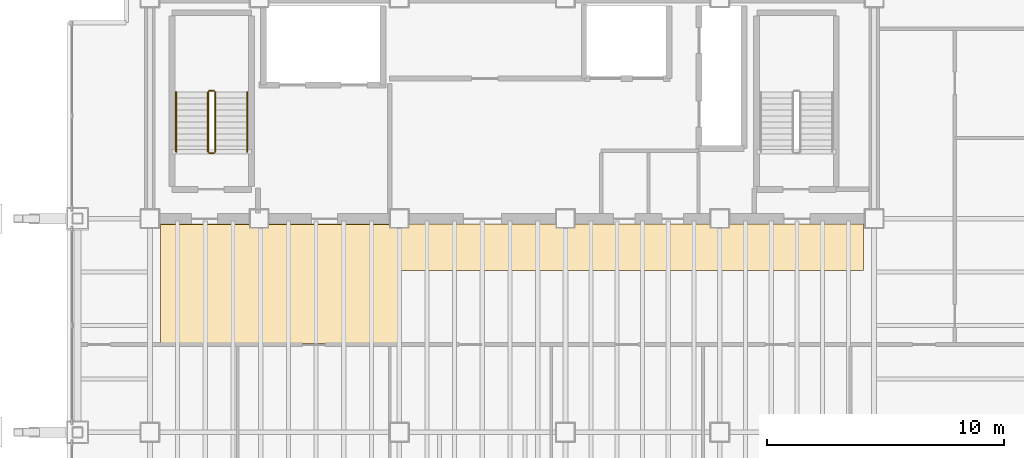
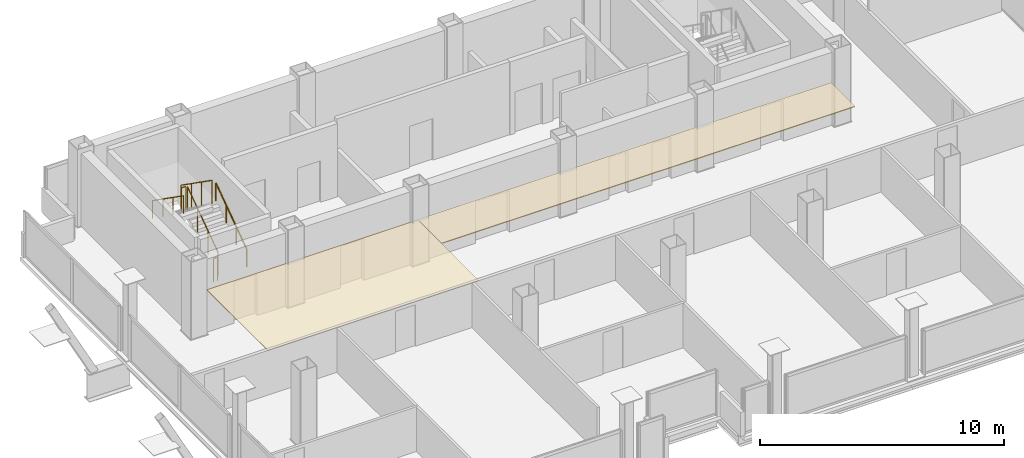
# One storey, part 16 of 17: 6 railings, 2 coverings.
"""IFC4 building model written with IfcOpenShell, lengths in metres."""

import ifcopenshell
import ifcopenshell.guid

model = None  # the IFC model being written
_history = None  # IfcOwnerHistory: only IFC2X3 demands one
_inside = {}  # id of a spatial element -> (the spatial element, [elements in it])
_under = {}  # id of a project, library or spatial element -> (it, [spatial elements below it])
_declared = {}  # id of a project -> (the project, [libraries it declares])
_typed = {}  # id of a type object -> (the type object, [elements of that type])
_made_of = {}  # id of a material, layer set ... -> (it, [elements and type objects made of it])


def new_model(schema):
    """Start an empty IFC model of exactly this schema.

    Asked for "IFC4X3", IfcOpenShell would pick the latest addendum, in which some entities
    have other attributes; the version numbers below select the first issue.
    IFC2X3 requires an IfcOwnerHistory on every rooted entity: one is made here for all.
    """
    global model, _history
    if schema == "IFC4X3":
        model = ifcopenshell.file(schema_version=(4, 3, 0, 0))
    else:
        model = ifcopenshell.file(schema=schema)
    _inside.clear()
    _under.clear()
    _declared.clear()
    _typed.clear()
    _made_of.clear()
    _history = None
    if model.schema == "IFC2X3":
        org = make("IfcOrganization", Name="unknown")
        user = make(
            "IfcPersonAndOrganization",
            ThePerson=make("IfcPerson", FamilyName="unknown"),
            TheOrganization=org,
        )
        app = make(
            "IfcApplication",
            ApplicationDeveloper=org,
            Version="unknown",
            ApplicationFullName="unknown",
            ApplicationIdentifier="unknown",
        )
        _history = make(
            "IfcOwnerHistory",
            OwningUser=user,
            OwningApplication=app,
            ChangeAction="ADDED",
            CreationDate=0,
        )
    return model


def make(cls, **values):
    """One entity of the class cls with the attributes given. An attribute that is None is left unset."""
    return model.create_entity(
        cls, **{name: value for name, value in values.items() if value is not None}
    )


def rooted(cls, **values):
    """An entity with a GlobalId (a new one), such as an element, a storey or a relation."""
    return make(cls, GlobalId=ifcopenshell.guid.new(), OwnerHistory=_history, **values)


def si_unit(unit_type, name, prefix=None):
    """IfcSIUnit, for example si_unit("LENGTHUNIT", "METRE", prefix="MILLI")."""
    return make("IfcSIUnit", UnitType=unit_type, Prefix=prefix, Name=name)


def assignment(units):
    """IfcUnitAssignment: the units of a project."""
    return None if units is None else make("IfcUnitAssignment", Units=units)


def point(xyz):
    """IfcCartesianPoint."""
    return None if xyz is None else make("IfcCartesianPoint", Coordinates=xyz)


def direction(xyz):
    """IfcDirection."""
    return None if xyz is None else make("IfcDirection", DirectionRatios=xyz)


def frame(location, z_axis=None, x_axis=None):
    """IfcAxis2Placement3D, a coordinate frame: its origin and axes. An axis left out is left unset."""
    return make(
        "IfcAxis2Placement3D",
        Location=point(location),
        Axis=direction(z_axis),
        RefDirection=direction(x_axis),
    )


def frame_2d(location, x_axis=None):
    """IfcAxis2Placement2D, a coordinate frame in the plane: its origin and x axis."""
    return make(
        "IfcAxis2Placement2D", Location=point(location), RefDirection=direction(x_axis)
    )


def origin():
    """The frame at (0, 0, 0) with its axes left unset."""
    return frame((0.0, 0.0, 0.0))


def origin_2d():
    """The frame at (0, 0) in the plane with its x axis left unset."""
    return frame_2d((0.0, 0.0))


def place(relative_to, where):
    """IfcLocalPlacement: puts the frame where relative to a parent placement (None: the world)."""
    return make(
        "IfcLocalPlacement", PlacementRelTo=relative_to, RelativePlacement=where
    )


def context(
    kind, dimensions, precision=None, world=None, true_north=None, identifier=None
):
    """IfcGeometricRepresentationContext, for example the 3D "Model" context."""
    return make(
        "IfcGeometricRepresentationContext",
        ContextIdentifier=identifier,
        ContextType=kind,
        CoordinateSpaceDimension=dimensions,
        Precision=precision,
        WorldCoordinateSystem=world,
        TrueNorth=true_north,
    )


def subcontext(parent, identifier, kind, view, scale=None):
    """IfcGeometricRepresentationSubContext, for example "Body" below "Model"."""
    return make(
        "IfcGeometricRepresentationSubContext",
        ContextIdentifier=identifier,
        ContextType=kind,
        ParentContext=parent,
        TargetScale=scale,
        TargetView=view,
    )


def project(units=None, contexts=None):
    """IfcProject with its units and contexts."""
    return rooted(
        "IfcProject",
        Name="project",
        RepresentationContexts=contexts,
        UnitsInContext=assignment(units),
    )


def spatial(cls, under=None, at=None, **own):
    """A site, building, storey or space (cls), placed at a placement, below another one or the project."""
    s = rooted(cls, ObjectPlacement=at, **own)
    if under is not None:
        _under.setdefault(under.id(), (under, []))[1].append(s)
    return s


def polyline(points):
    """IfcPolyline through the points."""
    return make("IfcPolyline", Points=[point(p) for p in points])


def profile(cls, at=None, kind="AREA", **sizes):
    """A parametric profile (cls). Its sizes go by their IFC names, for example OverallWidth=200.0."""
    return make(cls, ProfileType=kind, Position=at, **sizes)


def circle(**sizes):
    """IfcCircleProfileDef."""
    return profile("IfcCircleProfileDef", **sizes)


def outline(outer, holes=None, kind="AREA"):
    """IfcArbitraryClosedProfileDef: a profile drawn as a closed curve; with holes, ...WithVoids."""
    if holes is None:
        return make("IfcArbitraryClosedProfileDef", ProfileType=kind, OuterCurve=outer)
    return make(
        "IfcArbitraryProfileDefWithVoids",
        ProfileType=kind,
        OuterCurve=outer,
        InnerCurves=holes,
    )


def extrude(swept, where, along, depth):
    """IfcExtrudedAreaSolid: the profile swept, set in the frame where, extruded along a direction by depth."""
    return make(
        "IfcExtrudedAreaSolid",
        SweptArea=swept,
        Position=where,
        ExtrudedDirection=direction(along),
        Depth=depth,
    )


def shape(context_of_items, identifier, shape_type, items):
    """IfcShapeRepresentation: the items that make up one representation, for example the "Body"."""
    return make(
        "IfcShapeRepresentation",
        ContextOfItems=context_of_items,
        RepresentationIdentifier=identifier,
        RepresentationType=shape_type,
        Items=items,
    )


def material(Name=None, Category=None):
    """IfcMaterial."""
    return make("IfcMaterial", Name=Name, Category=Category)


def layer(
    of_material, thickness, ventilated=None, Name=None, Category=None, Priority=None
):
    """IfcMaterialLayer: one layer of a wall or slab, of a material (None: an air gap)."""
    return make(
        "IfcMaterialLayer",
        Material=of_material,
        LayerThickness=thickness,
        IsVentilated=ventilated,
        Name=Name,
        Category=Category,
        Priority=Priority,
    )


def layer_set(layers, Name=None):
    """IfcMaterialLayerSet."""
    return make("IfcMaterialLayerSet", MaterialLayers=layers, LayerSetName=Name)


def made_of(thing, what):
    """Note that an element or type object is made of a material, layer set ...; save() writes the relation."""
    if what is not None:
        _made_of.setdefault(what.id(), (what, []))[1].append(thing)
    return thing


def type_object(cls, material=None, **own):
    """A type object (cls), such as IfcWallType, which elements share."""
    return made_of(rooted(cls, **own), material)


def element(
    cls,
    number,
    at=None,
    inside=None,
    cuts=None,
    type_object=None,
    material=None,
    context=None,
    identifier="Body",
    shape_type=None,
    held_by="IfcProductDefinitionShape",
    body=None,
    shapes=None,
    **own,
):
    """One element of the class cls, such as IfcWall. Its Tag is "e" and its number.

    at: its placement. inside: the storey or other place that contains it. cuts: it is an
    opening in that element (IfcRelVoidsElement). A single representation is given by context,
    identifier, shape_type and body (its items); several are given by shapes. held_by: the class
    of the entity that holds the representations. save() writes the other relations.
    """
    e = rooted(cls, Tag="e%d" % number, ObjectPlacement=at, **own)
    if body is not None:
        shapes = [shape(context, identifier, shape_type, body)]
    if shapes is not None:
        e.Representation = make(held_by, Representations=shapes)
    if inside is not None:
        _inside.setdefault(inside.id(), (inside, []))[1].append(e)
    if cuts is not None:
        rooted(
            "IfcRelVoidsElement", RelatingBuildingElement=cuts, RelatedOpeningElement=e
        )
    if type_object is not None:
        _typed.setdefault(type_object.id(), (type_object, []))[1].append(e)
    return made_of(e, material)


def aggregate(whole, parts):
    """IfcRelAggregates: a whole, such as a stair, and the parts it consists of."""
    return rooted("IfcRelAggregates", RelatingObject=whole, RelatedObjects=parts)


def save(model, path):
    """Write the relations noted so far, then the file.

    IfcRelAggregates (storeys below a building ...), IfcRelContainedInSpatialStructure (elements
    in a storey), IfcRelDefinesByType, IfcRelAssociatesMaterial and IfcRelDeclares: one each for
    every whole, place, type object, material and project.
    """
    for whole, parts in _under.values():
        aggregate(whole, parts)
    for where, things in _inside.values():
        rooted(
            "IfcRelContainedInSpatialStructure",
            RelatedElements=things,
            RelatingStructure=where,
        )
    for kind, things in _typed.values():
        rooted("IfcRelDefinesByType", RelatedObjects=things, RelatingType=kind)
    for what, things in _made_of.values():
        rooted("IfcRelAssociatesMaterial", RelatedObjects=things, RelatingMaterial=what)
    for by, libraries in _declared.values():
        rooted("IfcRelDeclares", RelatingContext=by, RelatedDefinitions=libraries)
    model.write(path)


model = new_model("IFC4")

# Units and contexts
model_context = context("Model", 3, precision=1e-05, world=origin(), true_north=direction((0.0, 1.0)))
body_context = subcontext(model_context, "Body", "Model", "MODEL_VIEW")
ifc_project = project(units=[si_unit("LENGTHUNIT", "METRE"), si_unit("AREAUNIT", "SQUARE_METRE"), si_unit("VOLUMEUNIT", "CUBIC_METRE"), si_unit("PLANEANGLEUNIT", "RADIAN"), si_unit("MASSUNIT", "GRAM", prefix="KILO")], contexts=[model_context])

# Site, building, storey
site_placement = place(None, origin())
site = spatial("IfcSite", under=ifc_project, at=site_placement, CompositionType="ELEMENT")
building_placement = place(site_placement, origin())
building = spatial("IfcBuilding", under=site, at=building_placement, Name="Noeulbin Bourse Tower", CompositionType="ELEMENT")
storey_placement = place(building_placement, frame((0.0, 0.0, 226.699951171875)))
storey = spatial("IfcBuildingStorey", under=building, at=storey_placement, Name="L56", CompositionType="ELEMENT", Elevation=226.699951171875)

# Coverings
ifc_material_1 = material(Name="Perforated Mineral-Fibre Acoustic Tile")
ifc_layer_1 = layer(ifc_material_1, 0.0400390625)
ifc_layer_set_1 = layer_set([ifc_layer_1], Name="Perforated Mineral-Fibre Acoustic Tile")
covering_type_1 = type_object("IfcCoveringType", Name="COV-CEIL-ACT", PredefinedType="CEILING", material=ifc_layer_set_1)
covering_1_placement = place(storey_placement, frame((0.0, 0.0, 2.110107421875)))
element("IfcCovering", 1, at=covering_1_placement, inside=storey, type_object=covering_type_1, Name="Trading Suite Acoustic Ceiling L56", PredefinedType="CEILING", context=body_context, shape_type="SweptSolid", body=[
    extrude(outline(polyline([(13.949951171875, 23.75), (23.949951171875, 23.75), (23.949951171875, 28.75), (13.949951171875, 28.75), (13.949951171875, 23.75)])), origin(), (0.0, 0.0, 1.0), 0.0400390625),
])
ifc_material_2 = material(Name="Linear Anodised Aluminium Baffle Ceiling", Category="aluminium")
ifc_layer_2 = layer(ifc_material_2, 0.050048828125)
ifc_layer_set_2 = layer_set([ifc_layer_2], Name="Linear Anodised Aluminium Baffle Ceiling")
covering_type_2 = type_object("IfcCoveringType", Name="COV-CEIL-MTL", PredefinedType="CEILING", material=ifc_layer_set_2)
covering_2_placement = place(storey_placement, frame((0.0, 0.0, 2.110107421875)))
element("IfcCovering", 2, at=covering_2_placement, inside=storey, type_object=covering_type_2, Name="Corridor Suspended Ceiling L56", PredefinedType="CEILING", context=body_context, shape_type="SweptSolid", body=[
    extrude(outline(polyline([(13.949951171875, 26.820068359375), (43.550048828125, 26.820068359375), (43.550048828125, 28.780029296875), (13.949951171875, 28.780029296875), (13.949951171875, 26.820068359375)])), origin(), (0.0, 0.0, 1.0), 0.0400390625),
])

# Railings
ifc_material_3 = material(Name="Painted Tubular Steel S355", Category="steel")
ifc_layer_3 = layer(ifc_material_3, 0.048095703125)
ifc_layer_set_3 = layer_set([ifc_layer_3], Name="Painted Tubular Steel S355")
railing_type_1 = type_object("IfcRailingType", Name="RLG-STR-GRD", PredefinedType="GUARDRAIL", material=ifc_layer_set_3)
railing_1_placement = place(storey_placement, frame((16.25, 31.81005859375, 0.17724609375)))
element("IfcRailing", 3, at=railing_1_placement, inside=storey, type_object=railing_type_1, Name="L56 ST-1 stair guard 1", PredefinedType="GUARDRAIL", context=body_context, shape_type="SweptSolid", body=[
    extrude(circle(Radius=0.02392578125, at=origin_2d()), frame((0.0, 0.0, 1.17578125), z_axis=(0.0, 0.817904474719, 0.575354039036), x_axis=(-1.0, 0.0, 0.0)), (0.0, 0.0, 1.0), 3.0810546875),
    extrude(circle(Radius=0.02099609375, at=origin_2d()), origin(), (0.0, 0.0, 1.0), 1.15185546875),
    extrude(circle(Radius=0.02099609375, at=origin_2d()), frame((0.0, 0.840087890625, 0.5908203125)), (0.0, 0.0, 1.0), 1.15185546875),
    extrude(circle(Radius=0.02099609375, at=origin_2d()), frame((0.0, 1.679931640625, 1.181884765625)), (0.0, 0.0, 1.0), 1.15185546875),
    extrude(circle(Radius=0.02099609375, at=origin_2d()), frame((0.0, 2.52001953125, 1.772705078125)), (0.0, 0.0, 1.0), 1.15185546875),
])
railing_2_placement = place(storey_placement, frame((16.199951171875, 34.3798828125, 1.949951171875)))
element("IfcRailing", 4, at=railing_2_placement, inside=storey, type_object=railing_type_1, Name="L56 ST-1 stair guard 2", PredefinedType="GUARDRAIL", context=body_context, shape_type="SweptSolid", body=[
    extrude(circle(Radius=0.02392578125, at=origin_2d()), frame((0.0, 0.0, 1.17578125), z_axis=(-1.0, 0.0, 0.0), x_axis=(0.0, -1.0, 0.0)), (0.0, 0.0, 1.0), 0.199951171875),
    extrude(circle(Radius=0.02099609375, at=origin_2d()), origin(), (0.0, 0.0, 1.0), 1.15185546875),
    extrude(circle(Radius=0.02099609375, at=origin_2d()), frame((-0.199951171875, 0.0, 0.0)), (0.0, 0.0, 1.0), 1.15185546875),
])
railing_3_placement = place(storey_placement, frame((15.949951171875, 34.330078125, 2.12744140625)))
element("IfcRailing", 5, at=railing_3_placement, inside=storey, type_object=railing_type_1, Name="L56 ST-1 stair guard 3", PredefinedType="GUARDRAIL", context=body_context, shape_type="SweptSolid", body=[
    extrude(circle(Radius=0.02392578125, at=origin_2d()), frame((0.0, 0.0, 1.17578125), z_axis=(0.0, -0.817904474719, 0.575354039036), x_axis=(1.0, 0.0, 0.0)), (0.0, 0.0, 1.0), 3.0810546875),
    extrude(circle(Radius=0.02099609375, at=origin_2d()), origin(), (0.0, 0.0, 1.0), 1.15185546875),
    extrude(circle(Radius=0.02099609375, at=origin_2d()), frame((0.0, -0.840087890625, 0.5908203125)), (0.0, 0.0, 1.0), 1.15185546875),
    extrude(circle(Radius=0.02099609375, at=origin_2d()), frame((0.0, -1.679931640625, 1.181884765625)), (0.0, 0.0, 1.0), 1.15185546875),
    extrude(circle(Radius=0.02099609375, at=origin_2d()), frame((0.0, -2.52001953125, 1.772705078125)), (0.0, 0.0, 1.0), 1.15185546875),
])
railing_4_placement = place(storey_placement, frame((16.199951171875, 31.760009765625, 0.0)))
element("IfcRailing", 6, at=railing_4_placement, inside=storey, type_object=railing_type_1, Name="L56 ST-1 stair guard 4", PredefinedType="GUARDRAIL", context=body_context, shape_type="SweptSolid", body=[
    extrude(circle(Radius=0.02392578125, at=origin_2d()), frame((0.0, 0.0, 1.17578125), z_axis=(-1.0, 0.0, 0.0), x_axis=(0.0, -1.0, 0.0)), (0.0, 0.0, 1.0), 0.199951171875),
    extrude(circle(Radius=0.02099609375, at=origin_2d()), origin(), (0.0, 0.0, 1.0), 1.15185546875),
    extrude(circle(Radius=0.02099609375, at=origin_2d()), frame((-0.199951171875, 0.0, 0.0)), (0.0, 0.0, 1.0), 1.15185546875),
])
ifc_material_4 = material(Name="Brushed Stainless Steel 316", Category="steel")
ifc_layer_4 = layer(ifc_material_4, 0.048095703125)
ifc_layer_set_4 = layer_set([ifc_layer_4], Name="Brushed Stainless Steel 316")
railing_type_2 = type_object("IfcRailingType", Name="RLG-STR-HND", PredefinedType="HANDRAIL", material=ifc_layer_set_4)
railing_5_placement = place(storey_placement, frame((17.60009765625, 31.81005859375, 0.17724609375)))
element("IfcRailing", 7, at=railing_5_placement, inside=storey, type_object=railing_type_2, Name="L56 ST-1 stair handrail 1", PredefinedType="HANDRAIL", context=body_context, shape_type="SweptSolid", body=[
    extrude(circle(Radius=0.02392578125, at=origin_2d()), frame((0.0, 0.0, 0.8759765625), z_axis=(0.0, 0.817904474719, 0.575354039036), x_axis=(-1.0, 0.0, 0.0)), (0.0, 0.0, 1.0), 3.0810546875),
    extrude(circle(Radius=0.02099609375, at=origin_2d()), origin(), (0.0, 0.0, 1.0), 0.851806640625),
    extrude(circle(Radius=0.02099609375, at=origin_2d()), frame((0.0, 0.840087890625, 0.5908203125)), (0.0, 0.0, 1.0), 0.851806640625),
    extrude(circle(Radius=0.02099609375, at=origin_2d()), frame((0.0, 1.679931640625, 1.181884765625)), (0.0, 0.0, 1.0), 0.851806640625),
    extrude(circle(Radius=0.02099609375, at=origin_2d()), frame((0.0, 2.52001953125, 1.772705078125)), (0.0, 0.0, 1.0), 0.851806640625),
])
railing_6_placement = place(storey_placement, frame((14.60009765625, 34.330078125, 2.12744140625)))
element("IfcRailing", 8, at=railing_6_placement, inside=storey, type_object=railing_type_2, Name="L56 ST-1 stair handrail 2", PredefinedType="HANDRAIL", context=body_context, shape_type="SweptSolid", body=[
    extrude(circle(Radius=0.02392578125, at=origin_2d()), frame((0.0, 0.0, 0.8759765625), z_axis=(0.0, -0.817904474719, 0.575354039036), x_axis=(1.0, 0.0, 0.0)), (0.0, 0.0, 1.0), 3.0810546875),
    extrude(circle(Radius=0.02099609375, at=origin_2d()), origin(), (0.0, 0.0, 1.0), 0.851806640625),
    extrude(circle(Radius=0.02099609375, at=origin_2d()), frame((0.0, -0.840087890625, 0.5908203125)), (0.0, 0.0, 1.0), 0.851806640625),
    extrude(circle(Radius=0.02099609375, at=origin_2d()), frame((0.0, -1.679931640625, 1.181884765625)), (0.0, 0.0, 1.0), 0.851806640625),
    extrude(circle(Radius=0.02099609375, at=origin_2d()), frame((0.0, -2.52001953125, 1.772705078125)), (0.0, 0.0, 1.0), 0.851806640625),
])

save(model, "model.ifc")
